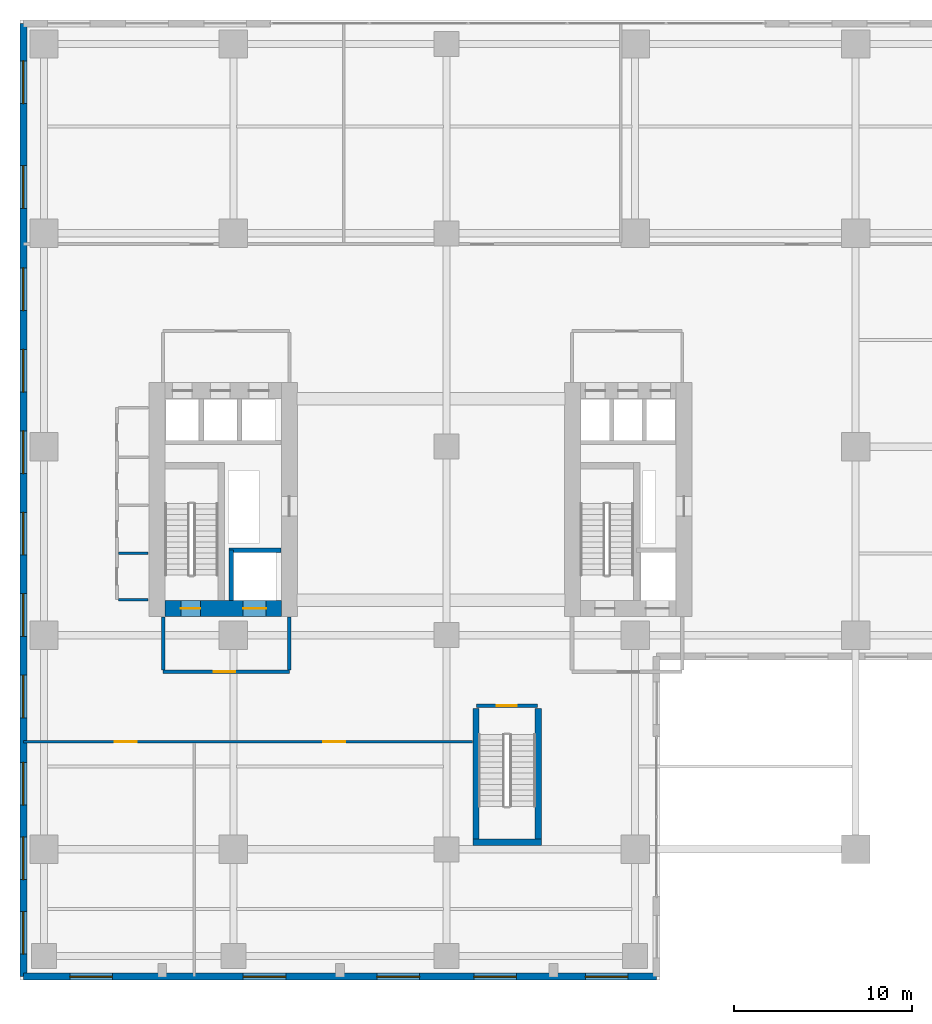
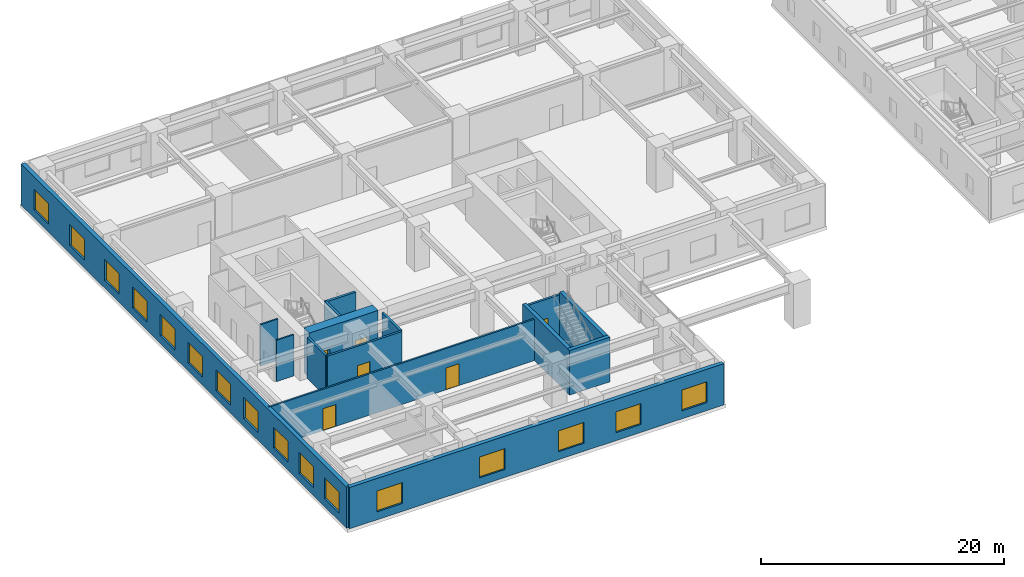
# One storey, part 19 of 26: 16 windows, 15 walls, 6 doors, 22 openings.
"""IFC4 building model written with IfcOpenShell, lengths in metres."""

from ifc_helpers import new_model, si_unit, direction, frame, frame_2d, origin, place, context, subcontext, project, spatial, rectangle, extrude, source, transform, mapped, material, layer, layer_set, type_object, element, fill, save


model = new_model("IFC4")

# Units and contexts
model_context = context("Model", 3, precision=1e-05, world=origin(), true_north=direction((0.0, 1.0)))
body_context = subcontext(model_context, "Body", "Model", "MODEL_VIEW")
ifc_project = project(units=[si_unit("LENGTHUNIT", "METRE"), si_unit("AREAUNIT", "SQUARE_METRE"), si_unit("VOLUMEUNIT", "CUBIC_METRE"), si_unit("PLANEANGLEUNIT", "RADIAN"), si_unit("MASSUNIT", "GRAM", prefix="KILO")], contexts=[model_context])

# Site, building, storey
site_placement = place(None, origin())
site = spatial("IfcSite", under=ifc_project, at=site_placement, CompositionType="ELEMENT")
building_placement = place(site_placement, origin())
building = spatial("IfcBuilding", under=site, at=building_placement, Name="Khoralis Quay Care Tower", CompositionType="ELEMENT")
storey_placement = place(building_placement, frame((0.0, 0.0, 13.5)))
storey = spatial("IfcBuildingStorey", under=building, at=storey_placement, Name="L03", CompositionType="ELEMENT", Elevation=13.5)

# Wall, opening, door
ifc_material_1 = material(Name="Gypsum plasterboard on acoustic metal stud")
ifc_layer_1 = layer(ifc_material_1, 0.199951171875)
ifc_layer_set_1 = layer_set([ifc_layer_1], Name="Gypsum plasterboard on acoustic metal stud")
wall_type_1 = type_object("IfcWallType", Name="WL-COMP-200", PredefinedType="PARTITIONING", material=ifc_layer_set_1)
wall_1_placement = place(storey_placement, frame((8.050048828125, 11.35009765625, 0.0), z_axis=(0.0, 0.0, 1.0), x_axis=(1.0, 0.0, 0.0)))
wall_1 = element("IfcWall", 1, at=wall_1_placement, inside=storey, type_object=wall_type_1, Name="L03 West Firefighting Lobby South Wall", PredefinedType="PARTITIONING", context=body_context, shape_type="SweptSolid", body=[
    extrude(rectangle(XDim=7.099853515625, YDim=0.199951171875, at=frame_2d((3.5498046875, 0.0))), origin(), (0.0, 0.0, 1.0), 4.159912109375),
])
opening_1_placement = place(wall_1_placement, frame((2.846435546875, 0.0, 0.0)))
opening_1 = element("IfcOpeningElement", 2, at=opening_1_placement, cuts=wall_1, Name="Opening FD1", PredefinedType="OPENING", context=body_context, shape_type="SweptSolid", body=[
    extrude(rectangle(XDim=1.199951171875, YDim=2.199951171875, at=frame_2d((0.60009765625, 1.10009765625))), frame((0.0, 0.10986328125, 0.0), z_axis=(0.0, -1.0, 0.0), x_axis=(1.0, 0.0, 0.0)), (0.0, 0.0, 1.0), 0.219970703125),
])
ifc_material_2 = material(Name="Fire-rated painted steel", Category="steel")
door_type_1 = type_object("IfcDoorType", Name="DR-FFL-1200X2200", OperationType="NOTDEFINED", PredefinedType="DOOR", material=ifc_material_2)
shared_shape_1 = source(origin(), body_context, "Body", "SweptSolid", [
    extrude(rectangle(XDim=1.199951171875, YDim=2.199951171875, at=frame_2d((0.60009765625, 1.10009765625))), frame((0.0, 0.02490234375, 0.0), z_axis=(0.0, -1.0, 0.0), x_axis=(1.0, 0.0, 0.0)), (0.0, 0.0, 1.0), 0.050048828125),
])
door_1_placement = place(opening_1_placement, origin())
door_1 = element("IfcDoor", 3, at=door_1_placement, inside=storey, type_object=door_type_1, Name="L03 West Firefighting Lobby Fire Door", OperationType="SINGLE_SWING_LEFT", OverallHeight=2.199951171875, OverallWidth=1.199951171875, PredefinedType="DOOR", context=body_context, shape_type="MappedRepresentation", body=[
    mapped(shared_shape_1, transform((0.0, 0.0, 0.0), scale=1.0)),
])
fill(opening_1, door_1)

# Walls
for number, where, z_axis, x_axis, name in (
    (4, (8.050048828125, 11.445068359375, 0.0), (0.0, 0.0, 1.0), (0.0, 1.0, 0.0), "L03 West Firefighting Lobby West Wall"),
    (5, (15.14990234375, 11.445068359375, 0.0), (0.0, 0.0, 1.0), (0.0, 1.0, 0.0), "L03 West Firefighting Lobby East Wall"),
):
    element("IfcWall", number, at=place(storey_placement, frame(where, z_axis=z_axis, x_axis=x_axis)), inside=storey, type_object=wall_type_1, Name=name, PredefinedType="PARTITIONING", context=body_context, shape_type="SweptSolid", body=[
        extrude(rectangle(XDim=2.98486328125, YDim=0.199951171875, at=frame_2d((1.492431640625, 0.0))), origin(), (0.0, 0.0, 1.0), 4.159912109375),
    ])

# Wall, opening, door
wall_2_placement = place(storey_placement, frame((25.679931640625, 9.419921875, 0.0), z_axis=(0.0, 0.0, 1.0), x_axis=(1.0, 0.0, 0.0)))
wall_2 = element("IfcWall", 6, at=wall_2_placement, inside=storey, type_object=wall_type_1, Name="L03 Podium Stair ST-P1 North Wall", PredefinedType="PARTITIONING", context=body_context, shape_type="SweptSolid", body=[
    extrude(rectangle(XDim=3.440185546875, YDim=0.199951171875, at=frame_2d((1.72021484375, 0.0))), origin(), (0.0, 0.0, 1.0), 4.159912109375),
])
opening_2_placement = place(wall_2_placement, frame((1.14990234375, 0.0, 0.0)))
opening_2 = element("IfcOpeningElement", 7, at=opening_2_placement, cuts=wall_2, Name="Opening SD1", PredefinedType="OPENING", context=body_context, shape_type="SweptSolid", body=[
    extrude(rectangle(XDim=1.10009765625, YDim=2.199951171875, at=frame_2d((0.550048828125, 1.10009765625))), frame((0.0, 0.10986328125, 0.0), z_axis=(0.0, -1.0, 0.0), x_axis=(1.0, 0.0, 0.0)), (0.0, 0.0, 1.0), 0.219970703125),
])
door_type_2 = type_object("IfcDoorType", Name="DR-STAIR-1100X2200", OperationType="NOTDEFINED", PredefinedType="DOOR", material=ifc_material_2)
shared_shape_2 = source(origin(), body_context, "Body", "SweptSolid", [
    extrude(rectangle(XDim=1.10009765625, YDim=2.199951171875, at=frame_2d((0.550048828125, 1.10009765625))), frame((0.0, 0.02490234375, 0.0), z_axis=(0.0, -1.0, 0.0), x_axis=(1.0, 0.0, 0.0)), (0.0, 0.0, 1.0), 0.050048828125),
])
door_2_placement = place(opening_2_placement, frame((1.10009765625, 0.0, 0.0), z_axis=(0.0, 0.0, 1.0), x_axis=(-1.0, 0.0, 0.0)))
door_2 = element("IfcDoor", 8, at=door_2_placement, inside=storey, type_object=door_type_2, Name="L03 Stair ST-P1 Fire Door", OperationType="SINGLE_SWING_LEFT", OverallHeight=2.199951171875, OverallWidth=1.10009765625, PredefinedType="DOOR", context=body_context, shape_type="MappedRepresentation", body=[
    mapped(shared_shape_2, transform((0.0, 0.0, 0.0), scale=1.0)),
])
fill(opening_2, door_2)

# Wall, openings, doors
ifc_material_3 = material(Name="Concrete C80/95", Category="concrete")
ifc_layer_2 = layer(ifc_material_3, 0.89990234375)
ifc_layer_set_2 = layer_set([ifc_layer_2], Name="Concrete C80/95")
wall_type_2 = type_object("IfcWallType", Name="WL-CORE-900", PredefinedType="SHEAR", material=ifc_layer_set_2)
wall_3_placement = place(storey_placement, frame((8.14990234375, 14.89990234375, 0.0), z_axis=(0.0, 0.0, 1.0), x_axis=(1.0, 0.0, 0.0)))
wall_3 = element("IfcWall", 9, at=wall_3_placement, inside=storey, type_object=wall_type_2, Name="L03 WCORE South Shear Wall", PredefinedType="SHEAR", context=body_context, shape_type="SweptSolid", body=[
    extrude(rectangle(XDim=6.550048828125, YDim=0.89990234375, at=frame_2d((3.27490234375, 0.0))), origin(), (0.0, 0.0, 1.0), 4.5),
])
opening_3_placement = place(wall_3_placement, frame((0.89990234375, 0.0, 0.0)))
opening_3 = element("IfcOpeningElement", 10, at=opening_3_placement, cuts=wall_3, Name="Opening SD1", PredefinedType="OPENING", context=body_context, shape_type="SweptSolid", body=[
    extrude(rectangle(XDim=1.10009765625, YDim=2.199951171875, at=frame_2d((0.550048828125, 1.10009765625))), frame((0.0, 0.4599609375, 0.0), z_axis=(0.0, -1.0, 0.0), x_axis=(1.0, 0.0, 0.0)), (0.0, 0.0, 1.0), 0.919921875),
])
opening_4_placement = place(wall_3_placement, frame((4.39990234375, 0.0, 0.0)))
opening_4 = element("IfcOpeningElement", 11, at=opening_4_placement, cuts=wall_3, Name="Opening LD2", PredefinedType="OPENING", context=body_context, shape_type="SweptSolid", body=[
    extrude(rectangle(XDim=1.300048828125, YDim=2.199951171875, at=frame_2d((0.64990234375, 1.10009765625))), frame((0.0, 0.4599609375, 0.0), z_axis=(0.0, -1.0, 0.0), x_axis=(1.0, 0.0, 0.0)), (0.0, 0.0, 1.0), 0.919921875),
])
door_3_placement = place(opening_3_placement, origin())
door_3 = element("IfcDoor", 12, at=door_3_placement, inside=storey, type_object=door_type_2, Name="L03 Stair ST-T1 Fire Door", OperationType="SINGLE_SWING_LEFT", OverallHeight=2.199951171875, OverallWidth=1.10009765625, PredefinedType="DOOR", context=body_context, shape_type="MappedRepresentation", body=[
    mapped(shared_shape_2, transform((0.0, 0.0, 0.0), scale=1.0)),
])
fill(opening_3, door_3)
ifc_material_4 = material(Name="Brushed stainless steel", Category="steel")
door_type_3 = type_object("IfcDoorType", Name="DR-LIFT-1300X2200", OperationType="SLIDING_TO_RIGHT", PredefinedType="DOOR", material=ifc_material_4)
shared_shape_3 = source(origin(), body_context, "Body", "SweptSolid", [
    extrude(rectangle(XDim=1.300048828125, YDim=2.199951171875, at=frame_2d((0.64990234375, 1.10009765625))), frame((0.0, 0.02490234375, 0.0), z_axis=(0.0, -1.0, 0.0), x_axis=(1.0, 0.0, 0.0)), (0.0, 0.0, 1.0), 0.050048828125),
])
door_4_placement = place(opening_4_placement, origin())
door_4 = element("IfcDoor", 13, at=door_4_placement, inside=storey, type_object=door_type_3, Name="L03 Firefighting Lift FFL-1 Landing Door", OperationType="SLIDING_TO_RIGHT", OverallHeight=2.199951171875, OverallWidth=1.300048828125, PredefinedType="DOOR", context=body_context, shape_type="MappedRepresentation", body=[
    mapped(shared_shape_3, transform((0.0, 0.0, 0.0), scale=1.0)),
])
fill(opening_4, door_4)

ifc_layer_3 = layer(ifc_material_1, 0.1650390625)
ifc_layer_set_3 = layer_set([ifc_layer_3], Name="Gypsum plasterboard on acoustic metal stud")
wall_type_3 = type_object("IfcWallType", Name="WL-CORR-165", PredefinedType="PARTITIONING", material=ifc_layer_set_3)
wall_4_placement = place(storey_placement, frame((0.18505859375, 7.39990234375, 0.0), z_axis=(0.0, 0.0, 1.0), x_axis=(1.0, 0.0, 0.0)))
wall_4 = element("IfcWall", 14, at=wall_4_placement, inside=storey, type_object=wall_type_3, Name="L03 Podium South Concourse Wall", PredefinedType="PARTITIONING", context=body_context, shape_type="SweptSolid", body=[
    extrude(rectangle(XDim=25.264892578125, YDim=0.1650390625, at=frame_2d((12.63232421875, 0.0))), origin(), (0.0, 0.0, 1.0), 4.159912109375),
])
opening_5_placement = place(wall_4_placement, frame((5.139892578125, 0.0, 0.0)))
opening_5 = element("IfcOpeningElement", 15, at=opening_5_placement, cuts=wall_4, Name="Opening CD1", PredefinedType="OPENING", context=body_context, shape_type="SweptSolid", body=[
    extrude(rectangle(XDim=1.25, YDim=2.199951171875, at=frame_2d((0.625, 1.10009765625))), frame((0.0, 0.092529296875, 0.0), z_axis=(0.0, -1.0, 0.0), x_axis=(1.0, 0.0, 0.0)), (0.0, 0.0, 1.0), 0.18505859375),
])
opening_6_placement = place(wall_4_placement, frame((16.864990234375, 0.0, 0.0)))
opening_6 = element("IfcOpeningElement", 16, at=opening_6_placement, cuts=wall_4, Name="Opening CD1", PredefinedType="OPENING", context=body_context, shape_type="SweptSolid", body=[
    extrude(rectangle(XDim=1.25, YDim=2.199951171875, at=frame_2d((0.625, 1.10009765625))), frame((0.0, 0.092529296875, 0.0), z_axis=(0.0, -1.0, 0.0), x_axis=(1.0, 0.0, 0.0)), (0.0, 0.0, 1.0), 0.18505859375),
])
ifc_material_5 = material(Name="Acoustic hardwood timber", Category="wood")
door_type_4 = type_object("IfcDoorType", Name="DR-CARE-1250X2200", OperationType="NOTDEFINED", PredefinedType="DOOR", material=ifc_material_5)
shared_shape_4 = source(origin(), body_context, "Body", "SweptSolid", [
    extrude(rectangle(XDim=1.25, YDim=2.199951171875, at=frame_2d((0.625, 1.10009765625))), frame((0.0, 0.02490234375, 0.0), z_axis=(0.0, -1.0, 0.0), x_axis=(1.0, 0.0, 0.0)), (0.0, 0.0, 1.0), 0.050048828125),
])
door_5_placement = place(opening_5_placement, frame((1.25, 0.0, 0.0), z_axis=(0.0, 0.0, 1.0), x_axis=(-1.0, 0.0, 0.0)))
door_5 = element("IfcDoor", 17, at=door_5_placement, inside=storey, type_object=door_type_4, Name="L03 Waterfront Senior Dining Hall Door", OperationType="SINGLE_SWING_LEFT", OverallHeight=2.199951171875, OverallWidth=1.25, PredefinedType="DOOR", context=body_context, shape_type="MappedRepresentation", body=[
    mapped(shared_shape_4, transform((0.0, 0.0, 0.0), scale=1.0)),
])
fill(opening_5, door_5)
door_6_placement = place(opening_6_placement, frame((1.25, 0.0, 0.0), z_axis=(0.0, 0.0, 1.0), x_axis=(-1.0, 0.0, 0.0)))
door_6 = element("IfcDoor", 18, at=door_6_placement, inside=storey, type_object=door_type_4, Name="L03 Demonstration Culinary Kitchen Door", OperationType="SINGLE_SWING_RIGHT", OverallHeight=2.199951171875, OverallWidth=1.25, PredefinedType="DOOR", context=body_context, shape_type="MappedRepresentation", body=[
    mapped(shared_shape_4, transform((0.0, 0.0, 0.0), scale=1.0)),
])
fill(opening_6, door_6)

# Wall, openings, windows
ifc_material_6 = material(Name="Precast concrete C45/55", Category="concrete")
ifc_layer_4 = layer(ifc_material_6, 0.3798828125)
ifc_layer_set_4 = layer_set([ifc_layer_4], Name="Precast concrete C45/55")
wall_type_4 = type_object("IfcWallType", Name="WL-EXT-POD-380", PredefinedType="SOLIDWALL", material=ifc_layer_set_4)
wall_5_placement = place(storey_placement, frame((0.18994140625, -5.81005859375, 0.0), z_axis=(0.0, 0.0, 1.0), x_axis=(1.0, 0.0, 0.0)))
wall_5 = element("IfcWall", 19, at=wall_5_placement, inside=storey, type_object=wall_type_4, Name="L03 External Facade Wall WL-POD-L03-E0", PredefinedType="SOLIDWALL", context=body_context, shape_type="SweptSolid", body=[
    extrude(rectangle(XDim=35.6201171875, YDim=0.3798828125, at=frame_2d((17.81005859375, 0.0))), origin(), (0.0, 0.0, 1.0), 4.159912109375),
])
opening_7_placement = place(wall_5_placement, frame((2.610107421875, 0.0, 0.800048828125)))
opening_7 = element("IfcOpeningElement", 20, at=opening_7_placement, cuts=wall_5, Name="Opening W1", PredefinedType="OPENING", context=body_context, shape_type="SweptSolid", body=[
    extrude(rectangle(XDim=2.39990234375, YDim=2.10009765625, at=frame_2d((1.199951171875, 1.050048828125))), frame((0.0, 0.199951171875, 0.0), z_axis=(0.0, -1.0, 0.0), x_axis=(1.0, 0.0, 0.0)), (0.0, 0.0, 1.0), 0.39990234375),
])
opening_8_placement = place(wall_5_placement, frame((12.364990234375, 0.0, 0.800048828125)))
opening_8 = element("IfcOpeningElement", 21, at=opening_8_placement, cuts=wall_5, Name="Opening W1", PredefinedType="OPENING", context=body_context, shape_type="SweptSolid", body=[
    extrude(rectangle(XDim=2.39990234375, YDim=2.10009765625, at=frame_2d((1.199951171875, 1.050048828125))), frame((0.0, 0.199951171875, 0.0), z_axis=(0.0, -1.0, 0.0), x_axis=(1.0, 0.0, 0.0)), (0.0, 0.0, 1.0), 0.39990234375),
])
opening_9_placement = place(wall_5_placement, frame((19.885009765625, 0.0, 0.800048828125)))
opening_9 = element("IfcOpeningElement", 22, at=opening_9_placement, cuts=wall_5, Name="Opening W1", PredefinedType="OPENING", context=body_context, shape_type="SweptSolid", body=[
    extrude(rectangle(XDim=2.39990234375, YDim=2.10009765625, at=frame_2d((1.199951171875, 1.050048828125))), frame((0.0, 0.199951171875, 0.0), z_axis=(0.0, -1.0, 0.0), x_axis=(1.0, 0.0, 0.0)), (0.0, 0.0, 1.0), 0.39990234375),
])
opening_10_placement = place(wall_5_placement, frame((25.3349609375, 0.0, 0.800048828125)))
opening_10 = element("IfcOpeningElement", 23, at=opening_10_placement, cuts=wall_5, Name="Opening W1", PredefinedType="OPENING", context=body_context, shape_type="SweptSolid", body=[
    extrude(rectangle(XDim=2.39990234375, YDim=2.10009765625, at=frame_2d((1.199951171875, 1.050048828125))), frame((0.0, 0.199951171875, 0.0), z_axis=(0.0, -1.0, 0.0), x_axis=(1.0, 0.0, 0.0)), (0.0, 0.0, 1.0), 0.39990234375),
])
opening_11_placement = place(wall_5_placement, frame((31.610107421875, 0.0, 0.800048828125)))
opening_11 = element("IfcOpeningElement", 24, at=opening_11_placement, cuts=wall_5, Name="Opening W1", PredefinedType="OPENING", context=body_context, shape_type="SweptSolid", body=[
    extrude(rectangle(XDim=2.39990234375, YDim=2.10009765625, at=frame_2d((1.199951171875, 1.050048828125))), frame((0.0, 0.199951171875, 0.0), z_axis=(0.0, -1.0, 0.0), x_axis=(1.0, 0.0, 0.0)), (0.0, 0.0, 1.0), 0.39990234375),
])
ifc_material_7 = material(Name="Low-E solar-control double glazing", Category="glass")
window_type = type_object("IfcWindowType", Name="WN-POD-2400X2100", PartitioningType="SINGLE_PANEL", PredefinedType="WINDOW", material=ifc_material_7)
shared_shape_5 = source(origin(), body_context, "Body", "SweptSolid", [
    extrude(rectangle(XDim=2.39990234375, YDim=2.10009765625, at=frame_2d((1.199951171875, 1.050048828125))), frame((0.0, 0.030029296875, 0.0), z_axis=(0.0, -1.0, 0.0), x_axis=(1.0, 0.0, 0.0)), (0.0, 0.0, 1.0), 0.06005859375),
])
window_1_placement = place(opening_7_placement, origin())
window_1 = element("IfcWindow", 25, at=window_1_placement, inside=storey, type_object=window_type, Name="WN-POD-L03-E0 Facade Window 01", OverallHeight=2.10009765625, OverallWidth=2.39990234375, PartitioningType="SINGLE_PANEL", PredefinedType="WINDOW", context=body_context, shape_type="MappedRepresentation", body=[
    mapped(shared_shape_5, transform((0.0, 0.0, 0.0), scale=1.0)),
])
fill(opening_7, window_1)
window_2_placement = place(opening_8_placement, origin())
window_2 = element("IfcWindow", 26, at=window_2_placement, inside=storey, type_object=window_type, Name="WN-POD-L03-E0 Facade Window 02", OverallHeight=2.10009765625, OverallWidth=2.39990234375, PartitioningType="SINGLE_PANEL", PredefinedType="WINDOW", context=body_context, shape_type="MappedRepresentation", body=[
    mapped(shared_shape_5, transform((0.0, 0.0, 0.0), scale=1.0)),
])
fill(opening_8, window_2)
window_3_placement = place(opening_9_placement, origin())
window_3 = element("IfcWindow", 27, at=window_3_placement, inside=storey, type_object=window_type, Name="WN-POD-L03-E0 Facade Window 03", OverallHeight=2.10009765625, OverallWidth=2.39990234375, PartitioningType="SINGLE_PANEL", PredefinedType="WINDOW", context=body_context, shape_type="MappedRepresentation", body=[
    mapped(shared_shape_5, transform((0.0, 0.0, 0.0), scale=1.0)),
])
fill(opening_9, window_3)
window_4_placement = place(opening_10_placement, origin())
window_4 = element("IfcWindow", 28, at=window_4_placement, inside=storey, type_object=window_type, Name="WN-POD-L03-E0 Facade Window 04", OverallHeight=2.10009765625, OverallWidth=2.39990234375, PartitioningType="SINGLE_PANEL", PredefinedType="WINDOW", context=body_context, shape_type="MappedRepresentation", body=[
    mapped(shared_shape_5, transform((0.0, 0.0, 0.0), scale=1.0)),
])
fill(opening_10, window_4)
window_5_placement = place(opening_11_placement, origin())
window_5 = element("IfcWindow", 29, at=window_5_placement, inside=storey, type_object=window_type, Name="WN-POD-L03-E0 Facade Window 05", OverallHeight=2.10009765625, OverallWidth=2.39990234375, PartitioningType="SINGLE_PANEL", PredefinedType="WINDOW", context=body_context, shape_type="MappedRepresentation", body=[
    mapped(shared_shape_5, transform((0.0, 0.0, 0.0), scale=1.0)),
])
fill(opening_11, window_5)

wall_6_placement = place(storey_placement, frame((0.18994140625, 47.81005859375, 0.0), z_axis=(0.0, 0.0, 1.0), x_axis=(0.0, -1.0, 0.0)))
wall_6 = element("IfcWall", 30, at=wall_6_placement, inside=storey, type_object=wall_type_4, Name="L03 External Facade Wall WL-POD-L03-E5", PredefinedType="SOLIDWALL", context=body_context, shape_type="SweptSolid", body=[
    extrude(rectangle(XDim=53.6201171875, YDim=0.3798828125, at=frame_2d((26.81005859375, 0.0))), origin(), (0.0, 0.0, 1.0), 4.159912109375),
])
opening_12_placement = place(wall_6_placement, frame((2.107421875, 0.0, 0.800048828125)))
opening_12 = element("IfcOpeningElement", 31, at=opening_12_placement, cuts=wall_6, Name="Opening W1", PredefinedType="OPENING", context=body_context, shape_type="SweptSolid", body=[
    extrude(rectangle(XDim=2.39990234375, YDim=2.10009765625, at=frame_2d((1.199951171875, 1.050048828125))), frame((0.0, 0.199951171875, 0.0), z_axis=(0.0, -1.0, 0.0), x_axis=(1.0, 0.0, 0.0)), (0.0, 0.0, 1.0), 0.39990234375),
])
opening_13_placement = place(wall_6_placement, frame((8.00244140625, 0.0, 0.800048828125)))
opening_13 = element("IfcOpeningElement", 32, at=opening_13_placement, cuts=wall_6, Name="Opening W1", PredefinedType="OPENING", context=body_context, shape_type="SweptSolid", body=[
    extrude(rectangle(XDim=2.39990234375, YDim=2.10009765625, at=frame_2d((1.199951171875, 1.050048828125))), frame((0.0, 0.199951171875, 0.0), z_axis=(0.0, -1.0, 0.0), x_axis=(1.0, 0.0, 0.0)), (0.0, 0.0, 1.0), 0.39990234375),
])
opening_14_placement = place(wall_6_placement, frame((13.760009765625, 0.0, 0.800048828125)))
opening_14 = element("IfcOpeningElement", 33, at=opening_14_placement, cuts=wall_6, Name="Opening W1", PredefinedType="OPENING", context=body_context, shape_type="SweptSolid", body=[
    extrude(rectangle(XDim=2.39990234375, YDim=2.10009765625, at=frame_2d((1.199951171875, 1.050048828125))), frame((0.0, 0.199951171875, 0.0), z_axis=(0.0, -1.0, 0.0), x_axis=(1.0, 0.0, 0.0)), (0.0, 0.0, 1.0), 0.39990234375),
])
opening_15_placement = place(wall_6_placement, frame((18.340087890625, 0.0, 0.800048828125)))
opening_15 = element("IfcOpeningElement", 34, at=opening_15_placement, cuts=wall_6, Name="Opening W1", PredefinedType="OPENING", context=body_context, shape_type="SweptSolid", body=[
    extrude(rectangle(XDim=2.39990234375, YDim=2.10009765625, at=frame_2d((1.199951171875, 1.050048828125))), frame((0.0, 0.199951171875, 0.0), z_axis=(0.0, -1.0, 0.0), x_axis=(1.0, 0.0, 0.0)), (0.0, 0.0, 1.0), 0.39990234375),
])
opening_16_placement = place(wall_6_placement, frame((22.919921875, 0.0, 0.800048828125)))
opening_16 = element("IfcOpeningElement", 35, at=opening_16_placement, cuts=wall_6, Name="Opening W1", PredefinedType="OPENING", context=body_context, shape_type="SweptSolid", body=[
    extrude(rectangle(XDim=2.39990234375, YDim=2.10009765625, at=frame_2d((1.199951171875, 1.050048828125))), frame((0.0, 0.199951171875, 0.0), z_axis=(0.0, -1.0, 0.0), x_axis=(1.0, 0.0, 0.0)), (0.0, 0.0, 1.0), 0.39990234375),
])
opening_17_placement = place(wall_6_placement, frame((27.5, 0.0, 0.800048828125)))
opening_17 = element("IfcOpeningElement", 36, at=opening_17_placement, cuts=wall_6, Name="Opening W1", PredefinedType="OPENING", context=body_context, shape_type="SweptSolid", body=[
    extrude(rectangle(XDim=2.39990234375, YDim=2.10009765625, at=frame_2d((1.199951171875, 1.050048828125))), frame((0.0, 0.199951171875, 0.0), z_axis=(0.0, -1.0, 0.0), x_axis=(1.0, 0.0, 0.0)), (0.0, 0.0, 1.0), 0.39990234375),
])
opening_18_placement = place(wall_6_placement, frame((32.080078125, 0.0, 0.800048828125)))
opening_18 = element("IfcOpeningElement", 37, at=opening_18_placement, cuts=wall_6, Name="Opening W1", PredefinedType="OPENING", context=body_context, shape_type="SweptSolid", body=[
    extrude(rectangle(XDim=2.39990234375, YDim=2.10009765625, at=frame_2d((1.199951171875, 1.050048828125))), frame((0.0, 0.199951171875, 0.0), z_axis=(0.0, -1.0, 0.0), x_axis=(1.0, 0.0, 0.0)), (0.0, 0.0, 1.0), 0.39990234375),
])
opening_19_placement = place(wall_6_placement, frame((36.659912109375, 0.0, 0.800048828125)))
opening_19 = element("IfcOpeningElement", 38, at=opening_19_placement, cuts=wall_6, Name="Opening W1", PredefinedType="OPENING", context=body_context, shape_type="SweptSolid", body=[
    extrude(rectangle(XDim=2.39990234375, YDim=2.10009765625, at=frame_2d((1.199951171875, 1.050048828125))), frame((0.0, 0.199951171875, 0.0), z_axis=(0.0, -1.0, 0.0), x_axis=(1.0, 0.0, 0.0)), (0.0, 0.0, 1.0), 0.39990234375),
])
opening_20_placement = place(wall_6_placement, frame((41.568359375, 0.0, 0.800048828125)))
opening_20 = element("IfcOpeningElement", 39, at=opening_20_placement, cuts=wall_6, Name="Opening W1", PredefinedType="OPENING", context=body_context, shape_type="SweptSolid", body=[
    extrude(rectangle(XDim=2.39990234375, YDim=2.10009765625, at=frame_2d((1.199951171875, 1.050048828125))), frame((0.0, 0.199951171875, 0.0), z_axis=(0.0, -1.0, 0.0), x_axis=(1.0, 0.0, 0.0)), (0.0, 0.0, 1.0), 0.39990234375),
])
opening_21_placement = place(wall_6_placement, frame((45.764892578125, 0.0, 0.800048828125)))
opening_21 = element("IfcOpeningElement", 40, at=opening_21_placement, cuts=wall_6, Name="Opening W1", PredefinedType="OPENING", context=body_context, shape_type="SweptSolid", body=[
    extrude(rectangle(XDim=2.39990234375, YDim=2.10009765625, at=frame_2d((1.199951171875, 1.050048828125))), frame((0.0, 0.199951171875, 0.0), z_axis=(0.0, -1.0, 0.0), x_axis=(1.0, 0.0, 0.0)), (0.0, 0.0, 1.0), 0.39990234375),
])
opening_22_placement = place(wall_6_placement, frame((49.961669921875, 0.0, 0.800048828125)))
opening_22 = element("IfcOpeningElement", 41, at=opening_22_placement, cuts=wall_6, Name="Opening W1", PredefinedType="OPENING", context=body_context, shape_type="SweptSolid", body=[
    extrude(rectangle(XDim=2.39990234375, YDim=2.10009765625, at=frame_2d((1.199951171875, 1.050048828125))), frame((0.0, 0.199951171875, 0.0), z_axis=(0.0, -1.0, 0.0), x_axis=(1.0, 0.0, 0.0)), (0.0, 0.0, 1.0), 0.39990234375),
])
window_6_placement = place(opening_12_placement, origin())
window_6 = element("IfcWindow", 42, at=window_6_placement, inside=storey, type_object=window_type, Name="WN-POD-L03-E5 Facade Window 01", OverallHeight=2.10009765625, OverallWidth=2.39990234375, PartitioningType="SINGLE_PANEL", PredefinedType="WINDOW", context=body_context, shape_type="MappedRepresentation", body=[
    mapped(shared_shape_5, transform((0.0, 0.0, 0.0), scale=1.0)),
])
fill(opening_12, window_6)
window_7_placement = place(opening_13_placement, origin())
window_7 = element("IfcWindow", 43, at=window_7_placement, inside=storey, type_object=window_type, Name="WN-POD-L03-E5 Facade Window 02", OverallHeight=2.10009765625, OverallWidth=2.39990234375, PartitioningType="SINGLE_PANEL", PredefinedType="WINDOW", context=body_context, shape_type="MappedRepresentation", body=[
    mapped(shared_shape_5, transform((0.0, 0.0, 0.0), scale=1.0)),
])
fill(opening_13, window_7)
window_8_placement = place(opening_14_placement, origin())
window_8 = element("IfcWindow", 44, at=window_8_placement, inside=storey, type_object=window_type, Name="WN-POD-L03-E5 Facade Window 03", OverallHeight=2.10009765625, OverallWidth=2.39990234375, PartitioningType="SINGLE_PANEL", PredefinedType="WINDOW", context=body_context, shape_type="MappedRepresentation", body=[
    mapped(shared_shape_5, transform((0.0, 0.0, 0.0), scale=1.0)),
])
fill(opening_14, window_8)
window_9_placement = place(opening_15_placement, origin())
window_9 = element("IfcWindow", 45, at=window_9_placement, inside=storey, type_object=window_type, Name="WN-POD-L03-E5 Facade Window 04", OverallHeight=2.10009765625, OverallWidth=2.39990234375, PartitioningType="SINGLE_PANEL", PredefinedType="WINDOW", context=body_context, shape_type="MappedRepresentation", body=[
    mapped(shared_shape_5, transform((0.0, 0.0, 0.0), scale=1.0)),
])
fill(opening_15, window_9)
window_10_placement = place(opening_16_placement, origin())
window_10 = element("IfcWindow", 46, at=window_10_placement, inside=storey, type_object=window_type, Name="WN-POD-L03-E5 Facade Window 05", OverallHeight=2.10009765625, OverallWidth=2.39990234375, PartitioningType="SINGLE_PANEL", PredefinedType="WINDOW", context=body_context, shape_type="MappedRepresentation", body=[
    mapped(shared_shape_5, transform((0.0, 0.0, 0.0), scale=1.0)),
])
fill(opening_16, window_10)
window_11_placement = place(opening_17_placement, origin())
window_11 = element("IfcWindow", 47, at=window_11_placement, inside=storey, type_object=window_type, Name="WN-POD-L03-E5 Facade Window 06", OverallHeight=2.10009765625, OverallWidth=2.39990234375, PartitioningType="SINGLE_PANEL", PredefinedType="WINDOW", context=body_context, shape_type="MappedRepresentation", body=[
    mapped(shared_shape_5, transform((0.0, 0.0, 0.0), scale=1.0)),
])
fill(opening_17, window_11)
window_12_placement = place(opening_18_placement, origin())
window_12 = element("IfcWindow", 48, at=window_12_placement, inside=storey, type_object=window_type, Name="WN-POD-L03-E5 Facade Window 07", OverallHeight=2.10009765625, OverallWidth=2.39990234375, PartitioningType="SINGLE_PANEL", PredefinedType="WINDOW", context=body_context, shape_type="MappedRepresentation", body=[
    mapped(shared_shape_5, transform((0.0, 0.0, 0.0), scale=1.0)),
])
fill(opening_18, window_12)
window_13_placement = place(opening_19_placement, origin())
window_13 = element("IfcWindow", 49, at=window_13_placement, inside=storey, type_object=window_type, Name="WN-POD-L03-E5 Facade Window 08", OverallHeight=2.10009765625, OverallWidth=2.39990234375, PartitioningType="SINGLE_PANEL", PredefinedType="WINDOW", context=body_context, shape_type="MappedRepresentation", body=[
    mapped(shared_shape_5, transform((0.0, 0.0, 0.0), scale=1.0)),
])
fill(opening_19, window_13)
window_14_placement = place(opening_20_placement, origin())
window_14 = element("IfcWindow", 50, at=window_14_placement, inside=storey, type_object=window_type, Name="WN-POD-L03-E5 Facade Window 09", OverallHeight=2.10009765625, OverallWidth=2.39990234375, PartitioningType="SINGLE_PANEL", PredefinedType="WINDOW", context=body_context, shape_type="MappedRepresentation", body=[
    mapped(shared_shape_5, transform((0.0, 0.0, 0.0), scale=1.0)),
])
fill(opening_20, window_14)
window_15_placement = place(opening_21_placement, origin())
window_15 = element("IfcWindow", 51, at=window_15_placement, inside=storey, type_object=window_type, Name="WN-POD-L03-E5 Facade Window 10", OverallHeight=2.10009765625, OverallWidth=2.39990234375, PartitioningType="SINGLE_PANEL", PredefinedType="WINDOW", context=body_context, shape_type="MappedRepresentation", body=[
    mapped(shared_shape_5, transform((0.0, 0.0, 0.0), scale=1.0)),
])
fill(opening_21, window_15)
window_16_placement = place(opening_22_placement, origin())
window_16 = element("IfcWindow", 52, at=window_16_placement, inside=storey, type_object=window_type, Name="WN-POD-L03-E5 Facade Window 11", OverallHeight=2.10009765625, OverallWidth=2.39990234375, PartitioningType="SINGLE_PANEL", PredefinedType="WINDOW", context=body_context, shape_type="MappedRepresentation", body=[
    mapped(shared_shape_5, transform((0.0, 0.0, 0.0), scale=1.0)),
])
fill(opening_22, window_16)

# Walls
ifc_material_8 = material(Name="Moisture-resistant gypsum and ceramic tile")
ifc_layer_5 = layer(ifc_material_8, 0.280029296875)
ifc_layer_set_5 = layer_set([ifc_layer_5], Name="Moisture-resistant gypsum and ceramic tile")
wall_type_5 = type_object("IfcWallType", Name="WL-PLUMB-280", PredefinedType="PLUMBINGWALL", material=ifc_layer_set_5)
wall_7_placement = place(storey_placement, frame((5.527587890625, 18.0, 0.0), z_axis=(0.0, 0.0, 1.0), x_axis=(1.0, 0.0, 0.0)))
element("IfcWall", 53, at=wall_7_placement, inside=storey, type_object=wall_type_5, Name="L03 West Flank Divider 1", PredefinedType="PLUMBINGWALL", context=body_context, shape_type="SweptSolid", body=[
    extrude(rectangle(XDim=1.682373046875, YDim=0.139892578125, at=frame_2d((0.84130859375, 0.0))), origin(), (0.0, 0.0, 1.0), 4.159912109375),
])
ifc_material_9 = material(Name="Concrete C40/50", Category="concrete")
ifc_layer_6 = layer(ifc_material_9, 0.35009765625)
ifc_layer_set_6 = layer_set([ifc_layer_6], Name="Concrete C40/50")
wall_type_6 = type_object("IfcWallType", Name="WL-SC-CORE-350", PredefinedType="SHEAR", material=ifc_layer_set_6)
for number, where, z_axis, x_axis, name in (
    (54, (25.64501953125, 1.570068359375, 0.0), (0.0, 0.0, 1.0), (0.0, 1.0, 0.0), "L03 Podium Stair ST-P1 West Shear Wall"),
    (55, (29.155029296875, 1.570068359375, 0.0), (0.0, 0.0, 1.0), (0.0, 1.0, 0.0), "L03 Podium Stair ST-P1 East Shear Wall"),
):
    element("IfcWall", number, at=place(storey_placement, frame(where, z_axis=z_axis, x_axis=x_axis)), inside=storey, type_object=wall_type_6, Name=name, PredefinedType="SHEAR", context=body_context, shape_type="SweptSolid", body=[
        extrude(rectangle(XDim=7.7099609375, YDim=0.35009765625, at=frame_2d((3.85498046875, 0.0))), origin(), (0.0, 0.0, 1.0), 4.5),
    ])
wall_8_placement = place(storey_placement, frame((25.469970703125, 1.7451171875, 0.0), z_axis=(0.0, 0.0, 1.0), x_axis=(1.0, 0.0, 0.0)))
element("IfcWall", 56, at=wall_8_placement, inside=storey, type_object=wall_type_6, Name="L03 Podium Stair ST-P1 South Shear Wall", PredefinedType="SHEAR", context=body_context, shape_type="SweptSolid", body=[
    extrude(rectangle(XDim=3.860107421875, YDim=0.35009765625, at=frame_2d((1.93017578125, 0.0))), origin(), (0.0, 0.0, 1.0), 4.5),
])
ifc_layer_7 = layer(ifc_material_1, 0.239990234375)
ifc_layer_set_7 = layer_set([ifc_layer_7], Name="Gypsum plasterboard on acoustic metal stud")
wall_type_7 = type_object("IfcWallType", Name="WL-SHAFT-240", PredefinedType="PARTITIONING", material=ifc_layer_set_7)
wall_9_placement = place(storey_placement, frame((11.8798828125, 15.35009765625, 0.0), z_axis=(0.0, 0.0, 1.0), x_axis=(0.0, 1.0, 0.0)))
element("IfcWall", 57, at=wall_9_placement, inside=storey, type_object=wall_type_7, Name="L03 FFL-1 Shaft Wall West", PredefinedType="PARTITIONING", context=body_context, shape_type="SweptSolid", body=[
    extrude(rectangle(XDim=2.849853515625, YDim=0.239990234375, at=frame_2d((1.4248046875, 0.0))), origin(), (0.0, 0.0, 1.0), 4.159912109375),
])
wall_10_placement = place(storey_placement, frame((11.760009765625, 18.169921875, 0.0), z_axis=(0.0, 0.0, 1.0), x_axis=(1.0, 0.0, 0.0)))
element("IfcWall", 58, at=wall_10_placement, inside=storey, type_object=wall_type_7, Name="L03 FFL-1 Shaft Wall North", PredefinedType="PARTITIONING", context=body_context, shape_type="SweptSolid", body=[
    extrude(rectangle(XDim=2.919921875, YDim=0.239990234375, at=frame_2d((1.4599609375, 0.0))), origin(), (0.0, 0.0, 1.0), 4.159912109375),
])
ifc_layer_8 = layer(ifc_material_1, 0.139892578125)
ifc_layer_set_8 = layer_set([ifc_layer_8], Name="Gypsum plasterboard on acoustic metal stud")
wall_type_8 = type_object("IfcWallType", Name="WL-UNIT-140", PredefinedType="PARTITIONING", material=ifc_layer_set_8)
wall_11_placement = place(storey_placement, frame((5.527587890625, 15.39990234375, 0.0), z_axis=(0.0, 0.0, 1.0), x_axis=(1.0, 0.0, 0.0)))
element("IfcWall", 59, at=wall_11_placement, inside=storey, type_object=wall_type_8, Name="L03 West Flank South Cap", PredefinedType="PARTITIONING", context=body_context, shape_type="SweptSolid", body=[
    extrude(rectangle(XDim=1.682373046875, YDim=0.139892578125, at=frame_2d((0.84130859375, 0.0))), origin(), (0.0, 0.0, 1.0), 4.159912109375),
])

save(model, "model.ifc")
